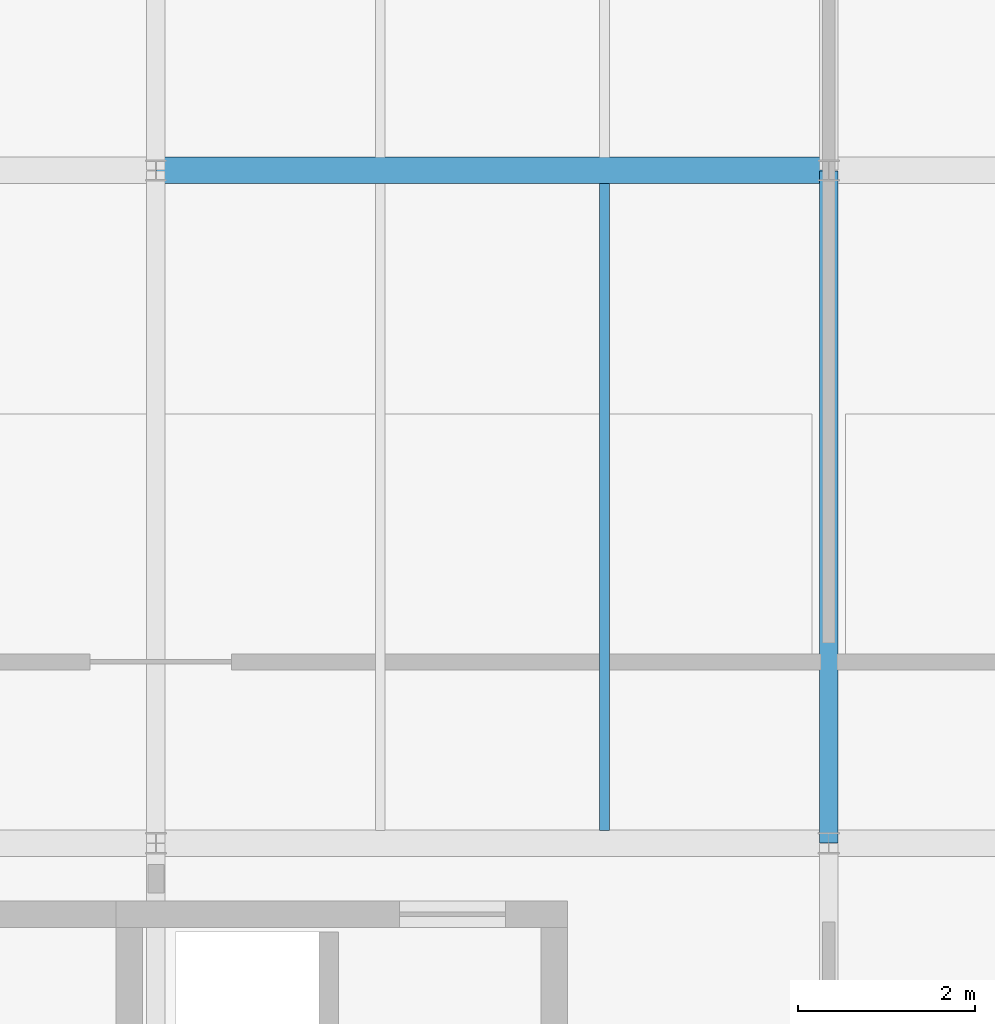
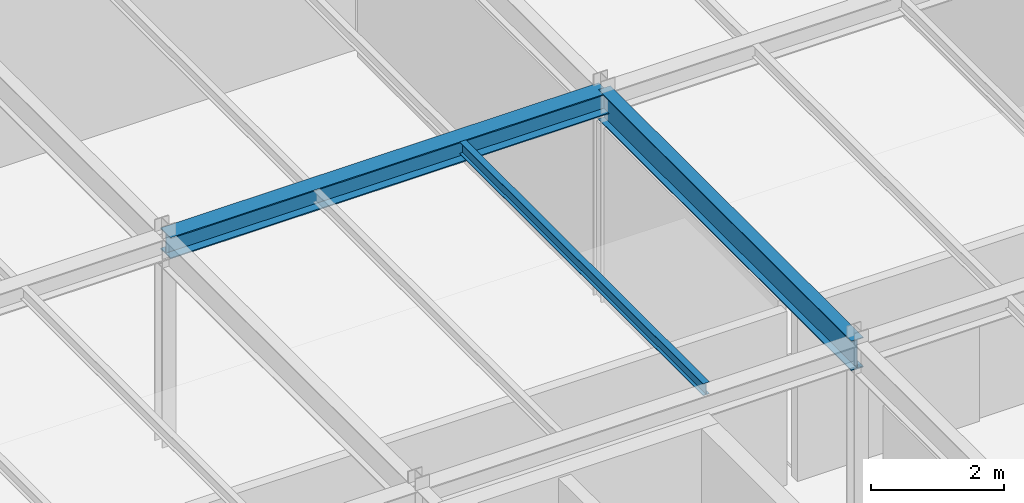
# One storey, part 32 of 189: 3 beams.
"""IFC4 building model written with IfcOpenShell, lengths in metres."""

from ifc_helpers import new_model, si_unit, direction, frame, origin, origin_2d, place, context, subcontext, project, spatial, i_section, extrude, material, material_profile, profile_set, type_object, element, save


model = new_model("IFC4")

# Units and contexts
model_context = context("Model", 3, precision=1e-05, world=origin(), true_north=direction((0.0, 1.0)))
body_context = subcontext(model_context, "Body", "Model", "MODEL_VIEW")
ifc_project = project(units=[si_unit("LENGTHUNIT", "METRE"), si_unit("AREAUNIT", "SQUARE_METRE"), si_unit("VOLUMEUNIT", "CUBIC_METRE"), si_unit("PLANEANGLEUNIT", "RADIAN"), si_unit("MASSUNIT", "GRAM", prefix="KILO")], contexts=[model_context])

# Site, building, storey
site_placement = place(None, origin())
site = spatial("IfcSite", under=ifc_project, at=site_placement, CompositionType="ELEMENT")
building_placement = place(site_placement, origin())
building = spatial("IfcBuilding", under=site, at=building_placement, Name="Montecoro Central Library", CompositionType="ELEMENT")
storey_placement = place(building_placement, frame((0.0, 0.0, 9.179931640625)))
storey = spatial("IfcBuildingStorey", under=building, at=storey_placement, Name="L02", CompositionType="ELEMENT", Elevation=9.179931640625)

# Beams
ifc_material_1 = material(Name="Steel S355", Category="steel")
ifc_material_profile_1 = material_profile(ifc_material_1, i_section(OverallWidth=0.300048828125, OverallDepth=0.389892578125, WebThickness=0.010986328125, FlangeThickness=0.01904296875, at=origin_2d()), Name="HEA 400")
ifc_profile_set_1 = profile_set([ifc_material_profile_1], Name="Steel S355")
beam_type_1 = type_object("IfcBeamType", Name="BM-G-HEA400", PredefinedType="USERDEFINED", material=ifc_profile_set_1)
beam_1_placement = place(storey_placement, frame((12.60498046875, 27.800048828125, 3.630126953125), z_axis=(1.0, 0.0, 0.0), x_axis=(0.0, 1.0, 0.0)))
element("IfcBeam", 1, at=beam_1_placement, inside=storey, type_object=beam_type_1, Name="V3-L02-BX-23-D", ObjectType="GIRDER", PredefinedType="USERDEFINED", context=body_context, shape_type="SweptSolid", body=[
    extrude(i_section(OverallWidth=0.300048828125, OverallDepth=0.389892578125, WebThickness=0.010986328125, FlangeThickness=0.01904296875, at=origin_2d()), origin(), (0.0, 0.0, 1.0), 7.590087890625),
])
ifc_material_2 = material(Name="Steel S355J2", Category="steel")
ifc_material_profile_2 = material_profile(ifc_material_2, i_section(OverallWidth=0.2099609375, OverallDepth=0.550048828125, WebThickness=0.010986328125, FlangeThickness=0.01708984375, at=origin_2d()), Name="IPE 550")
ifc_profile_set_2 = profile_set([ifc_material_profile_2], Name="Steel S355J2")
beam_type_2 = type_object("IfcBeamType", Name="BM-G-IPE550", PredefinedType="USERDEFINED", material=ifc_profile_set_2)
beam_2_placement = place(storey_placement, frame((20.199951171875, 20.205078125, 3.550048828125), z_axis=(0.0, 1.0, 0.0), x_axis=(-1.0, 0.0, 0.0)))
element("IfcBeam", 2, at=beam_2_placement, inside=storey, type_object=beam_type_2, Name="V3-L02-BY-3-CD", ObjectType="GIRDER", PredefinedType="USERDEFINED", context=body_context, shape_type="SweptSolid", body=[
    extrude(i_section(OverallWidth=0.2099609375, OverallDepth=0.550048828125, WebThickness=0.010986328125, FlangeThickness=0.01708984375, at=origin_2d()), origin(), (0.0, 0.0, 1.0), 7.58984375),
])
ifc_material_profile_3 = material_profile(ifc_material_1, i_section(OverallWidth=0.110107421875, OverallDepth=0.219970703125, WebThickness=0.005859375, FlangeThickness=0.00927734375, at=origin_2d()), Name="IPE 220")
ifc_profile_set_3 = profile_set([ifc_material_profile_3], Name="Steel S355")
beam_type_3 = type_object("IfcBeamType", Name="BM-J-IPE220", PredefinedType="JOIST", material=ifc_profile_set_3)
beam_3_placement = place(storey_placement, frame((17.6669921875, 20.346923828125, 3.715087890625), z_axis=(0.0, 1.0, 0.0), x_axis=(-1.0, 0.0, 0.0)))
element("IfcBeam", 3, at=beam_3_placement, inside=storey, type_object=beam_type_3, Name="V3-L02-JS-23-CD-2", PredefinedType="JOIST", context=body_context, shape_type="SweptSolid", body=[
    extrude(i_section(OverallWidth=0.110107421875, OverallDepth=0.219970703125, WebThickness=0.005859375, FlangeThickness=0.00927734375, at=origin_2d()), origin(), (0.0, 0.0, 1.0), 7.30615234375),
])

save(model, "model.ifc")
